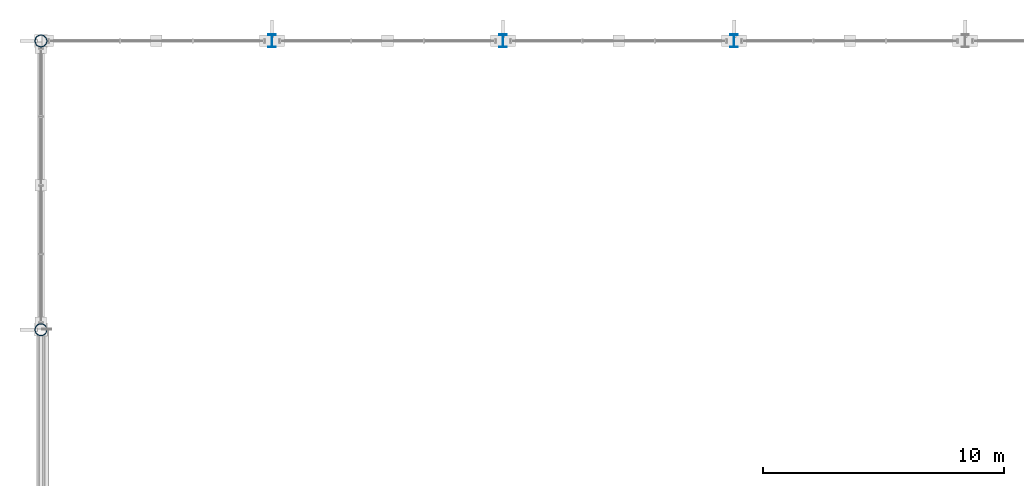
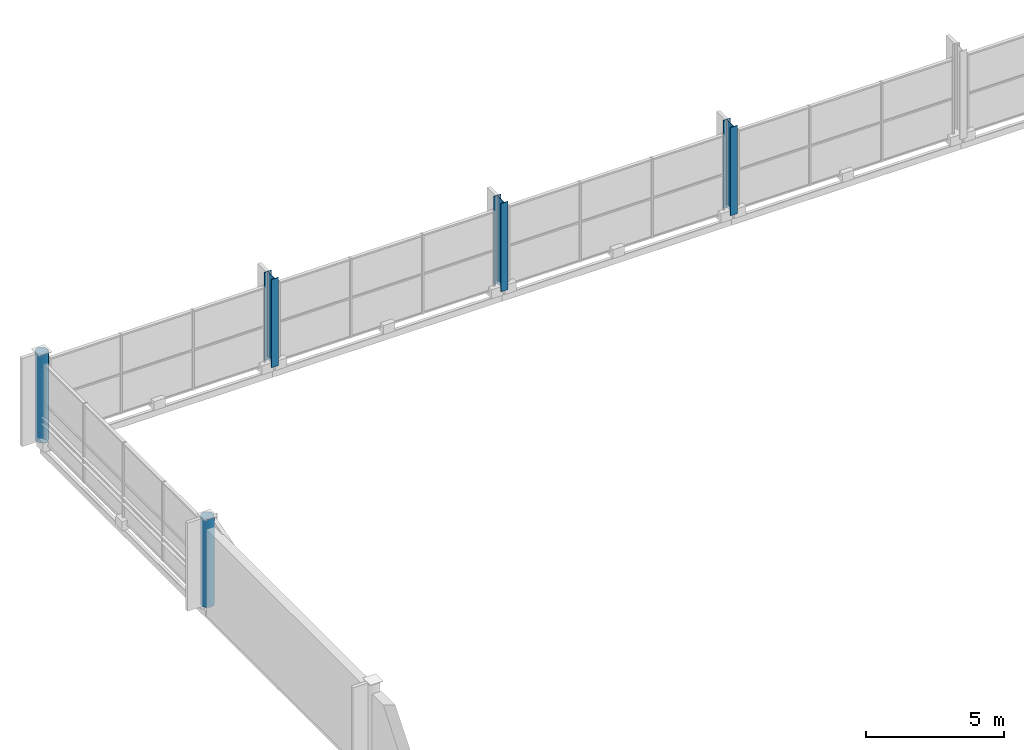
# One storey, part 10 of 117: 5 columns.
"""IFC4 building model written with IfcOpenShell, lengths in metres."""

from ifc_helpers import new_model, si_unit, direction, frame, origin, origin_2d, place, context, subcontext, project, spatial, hollow_circle, i_section, extrude, material, material_profile, profile_set, type_object, element, save


model = new_model("IFC4")

# Units and contexts
model_context = context("Model", 3, precision=1e-05, world=origin(), true_north=direction((0.0, 1.0)))
body_context = subcontext(model_context, "Body", "Model", "MODEL_VIEW")
ifc_project = project(units=[si_unit("LENGTHUNIT", "METRE"), si_unit("AREAUNIT", "SQUARE_METRE"), si_unit("VOLUMEUNIT", "CUBIC_METRE"), si_unit("PLANEANGLEUNIT", "RADIAN"), si_unit("MASSUNIT", "GRAM", prefix="KILO")], contexts=[model_context])

# Site, building, storey
site_placement = place(None, origin())
site = spatial("IfcSite", under=ifc_project, at=site_placement, CompositionType="ELEMENT")
building_placement = place(site_placement, origin())
building = spatial("IfcBuilding", under=site, at=building_placement, Name="Merenkruunu Market Hall", CompositionType="ELEMENT")
storey_placement = place(building_placement, frame((0.0, 0.0, 10.199951171875)))
storey = spatial("IfcBuildingStorey", under=building, at=storey_placement, Name="L02", CompositionType="ELEMENT", Elevation=10.199951171875)

# Columns
ifc_material_1 = material(Name="Steel S355J2", Category="steel")
ifc_material_profile_1 = material_profile(ifc_material_1, i_section(OverallWidth=0.300048828125, OverallDepth=0.5400390625, WebThickness=0.012451171875, FlangeThickness=0.02392578125, FilletRadius=0.027099609375, at=origin_2d()), Name="HEA 550")
ifc_profile_set_1 = profile_set([ifc_material_profile_1], Name="Steel S355J2")
column_type_1 = type_object("IfcColumnType", Name="Structural Column C06", PredefinedType="COLUMN", material=ifc_profile_set_1)
for number, where, z_axis, x_axis, name in (
    (1, (9.60009765625, 111.60009765625, 0.0), (0.0, 0.0, 1.0), (1.0, 0.0, 0.0), "COL-L02-B-12"),
    (2, (19.199951171875, 111.60009765625, 0.0), (0.0, 0.0, 1.0), (1.0, 0.0, 0.0), "COL-L02-C-12"),
    (3, (28.800048828125, 111.60009765625, 0.0), (0.0, 0.0, 1.0), (1.0, 0.0, 0.0), "COL-L02-D-12"),
):
    element("IfcColumn", number, at=place(storey_placement, frame(where, z_axis=z_axis, x_axis=x_axis)), inside=storey, type_object=column_type_1, Name=name, PredefinedType="COLUMN", context=body_context, shape_type="SweptSolid", body=[
        extrude(i_section(OverallWidth=0.300048828125, OverallDepth=0.5400390625, WebThickness=0.012451171875, FlangeThickness=0.02392578125, FilletRadius=0.027099609375, at=origin_2d()), origin(), (0.0, 0.0, 1.0), 3.900146484375),
    ])
ifc_material_2 = material(Name="Steel S355ML", Category="steel")
ifc_material_profile_2 = material_profile(ifc_material_2, hollow_circle(Radius=0.25390625, WallThickness=0.02001953125, at=origin_2d()), Name="CHS 508x20")
ifc_profile_set_2 = profile_set([ifc_material_profile_2], Name="Steel S355ML")
column_type_2 = type_object("IfcColumnType", Name="Structural Column C11", PredefinedType="COLUMN", material=ifc_profile_set_2)
for number, where, z_axis, x_axis, name in (
    (4, (0.0, 99.60009765625, 0.0), (0.0, 0.0, 1.0), (1.0, 0.0, 0.0), "COL-L02-A-11"),
    (5, (0.0, 111.60009765625, 0.0), (0.0, 0.0, 1.0), (1.0, 0.0, 0.0), "COL-L02-A-12"),
):
    element("IfcColumn", number, at=place(storey_placement, frame(where, z_axis=z_axis, x_axis=x_axis)), inside=storey, type_object=column_type_2, Name=name, PredefinedType="COLUMN", context=body_context, shape_type="SweptSolid", body=[
        extrude(hollow_circle(Radius=0.25390625, WallThickness=0.02001953125, at=origin_2d()), origin(), (0.0, 0.0, 1.0), 3.900146484375),
    ])

save(model, "model.ifc")
